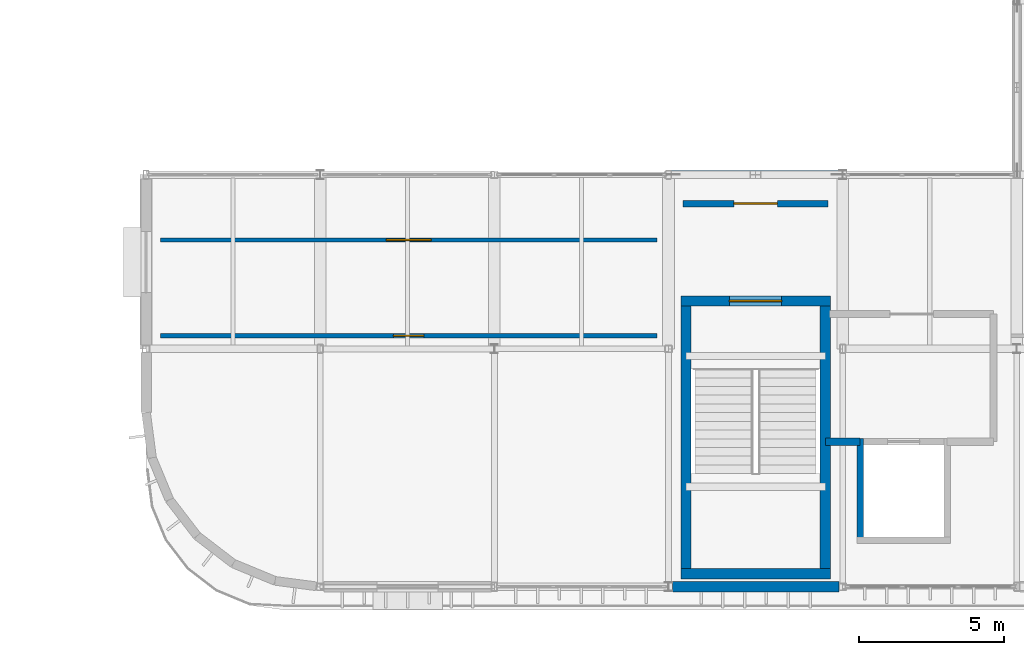
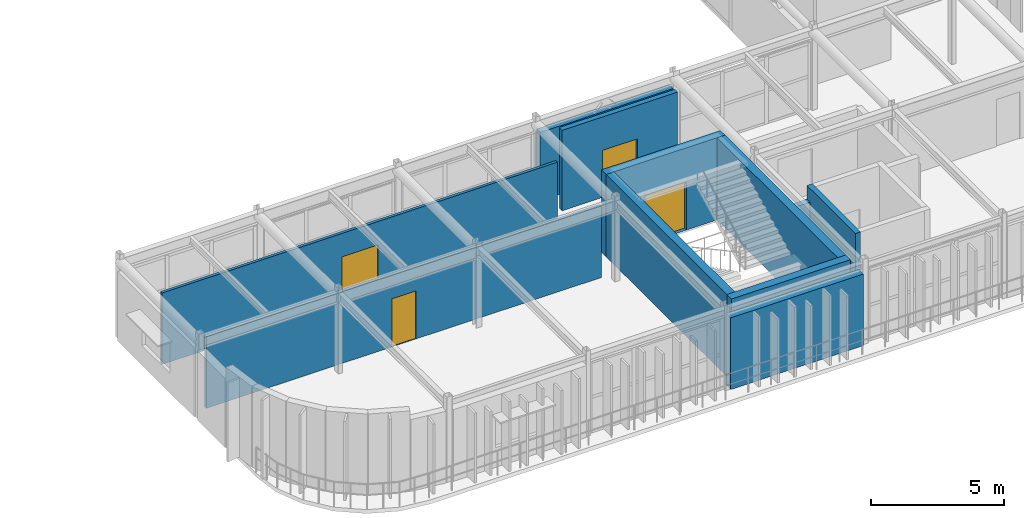
# One storey, part 16 of 27: 11 walls, 4 doors, 4 openings.
"""IFC4 building model written with IfcOpenShell, lengths in metres."""

from ifc_helpers import new_model, si_unit, direction, frame, frame_2d, origin, place, context, subcontext, project, spatial, rectangle, extrude, material, layer, layer_set, type_object, element, fill, save


model = new_model("IFC4")

# Units and contexts
model_context = context("Model", 3, precision=1e-05, world=origin(), true_north=direction((0.0, 1.0)))
body_context = subcontext(model_context, "Body", "Model", "MODEL_VIEW")
ifc_project = project(units=[si_unit("LENGTHUNIT", "METRE"), si_unit("AREAUNIT", "SQUARE_METRE"), si_unit("VOLUMEUNIT", "CUBIC_METRE"), si_unit("PLANEANGLEUNIT", "RADIAN"), si_unit("MASSUNIT", "GRAM", prefix="KILO")], contexts=[model_context])

# Site, building, storey
site_placement = place(None, origin())
site = spatial("IfcSite", under=ifc_project, at=site_placement, CompositionType="ELEMENT")
building_placement = place(site_placement, origin())
building = spatial("IfcBuilding", under=site, at=building_placement, Name="Varnakota Square Police Headquarters", CompositionType="ELEMENT")
storey_placement = place(building_placement, frame((0.0, 0.0, 26.10009765625)))
storey = spatial("IfcBuildingStorey", under=building, at=storey_placement, Name="L06", CompositionType="ELEMENT", Elevation=26.10009765625)

# Walls
ifc_material_1 = material(Name="Concrete M40", Category="concrete")
ifc_layer_1 = layer(ifc_material_1, 0.22998046875, Name="Concrete M40")
ifc_layer_set_1 = layer_set([ifc_layer_1], Name="Concrete M40")
wall_type_1 = type_object("IfcWallType", Name="WL-CORE-230", PredefinedType="SHEAR", material=ifc_layer_set_1)
wall_1_placement = place(storey_placement, frame((132.60009765625, 5.9150390625, 0.0), z_axis=(0.0, 0.0, 1.0), x_axis=(0.0, -1.0, 0.0)))
element("IfcWall", 1, at=wall_1_placement, inside=storey, type_object=wall_type_1, Name="Lift shaft wall LF-FF1 L06 W", PredefinedType="SHEAR", context=body_context, shape_type="SweptSolid", body=[
    extrude(rectangle(XDim=3.630126953125, YDim=0.22998046875, at=frame_2d((1.81494140625, 0.0))), origin(), (0.0, 0.0, 1.0), 3.89990234375),
])
ifc_material_2 = material(Name="Concrete M50", Category="concrete")
ifc_layer_2 = layer(ifc_material_2, 0.35009765625, Name="Concrete M50")
ifc_layer_set_2 = layer_set([ifc_layer_2], Name="Concrete M50")
wall_type_2 = type_object("IfcWallType", Name="WL-CORE-350", PredefinedType="SHEAR", material=ifc_layer_set_2)
wall_2_placement = place(storey_placement, frame((126.425048828125, 1.25, 0.0), z_axis=(0.0, 0.0, 1.0), x_axis=(1.0, 0.0, 0.0)))
element("IfcWall", 2, at=wall_2_placement, inside=storey, type_object=wall_type_2, Name="Core C1 shear wall L06 S", PredefinedType="SHEAR", context=body_context, shape_type="SweptSolid", body=[
    extrude(rectangle(XDim=5.14990234375, YDim=0.35009765625, at=frame_2d((2.574951171875, 0.0))), origin(), (0.0, 0.0, 1.0), 3.760009765625),
])
wall_3_placement = place(storey_placement, frame((131.39990234375, 1.074951171875, 0.0), z_axis=(0.0, 0.0, 1.0), x_axis=(0.0, 1.0, 0.0)))
element("IfcWall", 3, at=wall_3_placement, inside=storey, type_object=wall_type_2, Name="Core C1 shear wall L06 E", PredefinedType="SHEAR", context=body_context, shape_type="SweptSolid", body=[
    extrude(rectangle(XDim=9.75, YDim=0.35009765625, at=frame_2d((4.875, 0.0))), origin(), (0.0, 0.0, 1.0), 3.760009765625),
])

# Wall, opening, door
wall_4_placement = place(storey_placement, frame((131.574951171875, 10.64990234375, 0.0), z_axis=(0.0, 0.0, 1.0), x_axis=(-1.0, 0.0, 0.0)))
wall_4 = element("IfcWall", 4, at=wall_4_placement, inside=storey, type_object=wall_type_2, Name="Core C1 shear wall L06 N", PredefinedType="SHEAR", context=body_context, shape_type="SweptSolid", body=[
    extrude(rectangle(XDim=5.14990234375, YDim=0.35009765625, at=frame_2d((2.574951171875, 0.0))), origin(), (0.0, 0.0, 1.0), 3.760009765625),
])
opening_1_placement = place(wall_4_placement, frame((1.675048828125, 0.0, 0.0)))
opening_1 = element("IfcOpeningElement", 5, at=opening_1_placement, cuts=wall_4, Name="Opening SD007", PredefinedType="OPENING", context=body_context, shape_type="SweptSolid", body=[
    extrude(rectangle(XDim=1.800048828125, YDim=2.199951171875, at=frame_2d((0.89990234375, 1.10009765625))), frame((0.0, 0.18505859375, 0.0), z_axis=(0.0, -1.0, 0.0), x_axis=(1.0, 0.0, 0.0)), (0.0, 0.0, 1.0), 0.3701171875),
])
ifc_material_3 = material(Name="Powder-Coated Galvanised Steel", Category="steel")
door_type_1 = type_object("IfcDoorType", Name="DR-ST-180", OperationType="NOTDEFINED", PredefinedType="DOOR", material=ifc_material_3)
door_1_placement = place(opening_1_placement, origin())
door_1 = element("IfcDoor", 6, at=door_1_placement, inside=storey, type_object=door_type_1, Name="Protected stair door SD007", OperationType="DOUBLE_DOOR_SINGLE_SWING", OverallHeight=2.199951171875, OverallWidth=1.800048828125, PredefinedType="DOOR", context=body_context, shape_type="SweptSolid", body=[
    extrude(rectangle(XDim=1.800048828125, YDim=2.199951171875, at=frame_2d((0.89990234375, 1.10009765625))), frame((0.0, 0.02490234375, 0.0), z_axis=(0.0, -1.0, 0.0), x_axis=(1.0, 0.0, 0.0)), (0.0, 0.0, 1.0), 0.050048828125),
])
fill(opening_1, door_1)

# Walls
wall_5_placement = place(storey_placement, frame((126.60009765625, 10.824951171875, 0.0), z_axis=(0.0, 0.0, 1.0), x_axis=(0.0, -1.0, 0.0)))
element("IfcWall", 7, at=wall_5_placement, inside=storey, type_object=wall_type_2, Name="Core C1 shear wall L06 W", PredefinedType="SHEAR", context=body_context, shape_type="SweptSolid", body=[
    extrude(rectangle(XDim=9.75, YDim=0.35009765625, at=frame_2d((4.875, 0.0))), origin(), (0.0, 0.0, 1.0), 3.760009765625),
])
ifc_layer_3 = layer(ifc_material_1, 0.280029296875, Name="Concrete M40")
ifc_layer_set_3 = layer_set([ifc_layer_3], Name="Concrete M40")
wall_type_3 = type_object("IfcWallType", Name="WL-EXT-280", PredefinedType="SOLIDWALL", material=ifc_layer_set_3)
wall_6_placement = place(storey_placement, frame((126.10400390625, 15.0, 0.0), z_axis=(0.0, 0.0, 1.0), x_axis=(1.0, 0.0, 0.0)))
element("IfcWall", 8, at=wall_6_placement, inside=storey, type_object=wall_type_3, Name="Exterior wall EW-L06-0325", PredefinedType="SOLIDWALL", context=body_context, shape_type="SweptSolid", body=[
    extrude(rectangle(XDim=5.76708984375, YDim=0.280029296875, at=frame_2d((2.883544921875, 0.0))), origin(), (0.0, 0.0, 1.0), 3.1298828125),
])
ifc_layer_4 = layer(ifc_material_1, 0.360107421875, Name="Concrete M40")
ifc_layer_set_4 = layer_set([ifc_layer_4], Name="Concrete M40")
wall_type_4 = type_object("IfcWallType", Name="WL-EXT-360", PredefinedType="SOLIDWALL", material=ifc_layer_set_4)
wall_7_placement = place(storey_placement, frame((126.12890625, 0.800048828125, 0.0), z_axis=(0.0, 0.0, 1.0), x_axis=(1.0, 0.0, 0.0)))
element("IfcWall", 9, at=wall_7_placement, inside=storey, type_object=wall_type_4, Name="Exterior wall EW-L06-0317", PredefinedType="SOLIDWALL", context=body_context, shape_type="SweptSolid", body=[
    extrude(rectangle(XDim=5.7421875, YDim=0.360107421875, at=frame_2d((2.87109375, 0.0))), origin(), (0.0, 0.0, 1.0), 3.27978515625),
])

# Wall, opening, door
ifc_material_4 = material(Name="Acoustic Insulated Metal-Stud Partition", Category="gypsum")
ifc_layer_5 = layer(ifc_material_4, 0.125, Name="Acoustic Insulated Metal-Stud Partition")
ifc_layer_set_5 = layer_set([ifc_layer_5], Name="Acoustic Insulated Metal-Stud Partition")
wall_type_5 = type_object("IfcWallType", Name="WL-PRT-125", PredefinedType="PARTITIONING", material=ifc_layer_set_5)
wall_8_placement = place(storey_placement, frame((125.60009765625, 12.75, 0.0), z_axis=(0.0, 0.0, 1.0), x_axis=(-1.0, 0.0, 0.0)))
wall_8 = element("IfcWall", 10, at=wall_8_placement, inside=storey, type_object=wall_type_5, Name="Interior partition PW-L06-0251 (Division Briefing and Seminar Room)", PredefinedType="PARTITIONING", context=body_context, shape_type="SweptSolid", body=[
    extrude(rectangle(XDim=17.10009765625, YDim=0.125, at=frame_2d((8.550048828125, 0.0))), origin(), (0.0, 0.0, 1.0), 3.2734375),
])
opening_2_placement = place(wall_8_placement, frame((7.77490234375, 0.0, 0.0)))
opening_2 = element("IfcOpeningElement", 11, at=opening_2_placement, cuts=wall_8, Name="Opening D294", PredefinedType="OPENING", context=body_context, shape_type="SweptSolid", body=[
    extrude(rectangle(XDim=1.550048828125, YDim=2.199951171875, at=frame_2d((0.77490234375, 1.10009765625))), frame((0.0, 0.072509765625, 0.0), z_axis=(0.0, -1.0, 0.0), x_axis=(1.0, 0.0, 0.0)), (0.0, 0.0, 1.0), 0.14501953125),
])
ifc_material_5 = material(Name="Solid-Core Acoustic Oak Veneer Timber", Category="wood")
door_type_2 = type_object("IfcDoorType", Name="DR-BRF-155", OperationType="NOTDEFINED", PredefinedType="DOOR", material=ifc_material_5)
door_2_placement = place(opening_2_placement, origin())
door_2 = element("IfcDoor", 12, at=door_2_placement, inside=storey, type_object=door_type_2, Name="Room door D294 (Division Briefing and Seminar Room)", OperationType="DOUBLE_DOOR_SINGLE_SWING", OverallHeight=2.199951171875, OverallWidth=1.550048828125, PredefinedType="DOOR", context=body_context, shape_type="SweptSolid", body=[
    extrude(rectangle(XDim=1.550048828125, YDim=2.199951171875, at=frame_2d((0.77490234375, 1.10009765625))), frame((0.0, 0.02490234375, 0.0), z_axis=(0.0, -1.0, 0.0), x_axis=(1.0, 0.0, 0.0)), (0.0, 0.0, 1.0), 0.050048828125),
])
fill(opening_2, door_2)

ifc_layer_6 = layer(ifc_material_4, 0.139892578125, Name="Acoustic Insulated Metal-Stud Partition")
ifc_layer_set_6 = layer_set([ifc_layer_6], Name="Acoustic Insulated Metal-Stud Partition")
wall_type_6 = type_object("IfcWallType", Name="WL-PRT-140", PredefinedType="PARTITIONING", material=ifc_layer_set_6)
wall_9_placement = place(storey_placement, frame((108.5, 9.449951171875, 0.0), z_axis=(0.0, 0.0, 1.0), x_axis=(1.0, 0.0, 0.0)))
wall_9 = element("IfcWall", 13, at=wall_9_placement, inside=storey, type_object=wall_type_6, Name="Interior partition PW-L06-0248 (Economic Offences Wing Investigation Office)", PredefinedType="PARTITIONING", context=body_context, shape_type="SweptSolid", body=[
    extrude(rectangle(XDim=17.10009765625, YDim=0.139892578125, at=frame_2d((8.550048828125, 0.0))), origin(), (0.0, 0.0, 1.0), 3.2734375),
])
opening_3_placement = place(wall_9_placement, frame((8.02490234375, 0.0, 0.0)))
opening_3 = element("IfcOpeningElement", 14, at=opening_3_placement, cuts=wall_9, Name="Opening D291", PredefinedType="OPENING", context=body_context, shape_type="SweptSolid", body=[
    extrude(rectangle(XDim=1.050048828125, YDim=2.199951171875, at=frame_2d((0.52490234375, 1.10009765625))), frame((0.0, 0.079833984375, 0.0), z_axis=(0.0, -1.0, 0.0), x_axis=(1.0, 0.0, 0.0)), (0.0, 0.0, 1.0), 0.159912109375),
])
ifc_material_6 = material(Name="Anodised Aluminium and Laminated Acoustic Glass", Category="aluminium")
door_type_3 = type_object("IfcDoorType", Name="DR-OFF-105", OperationType="NOTDEFINED", PredefinedType="DOOR", material=ifc_material_6)
door_3_placement = place(opening_3_placement, origin())
door_3 = element("IfcDoor", 15, at=door_3_placement, inside=storey, type_object=door_type_3, Name="Room door D291 (Economic Offences Wing Investigation Office)", OperationType="SINGLE_SWING_LEFT", OverallHeight=2.199951171875, OverallWidth=1.050048828125, PredefinedType="DOOR", context=body_context, shape_type="SweptSolid", body=[
    extrude(rectangle(XDim=1.050048828125, YDim=2.199951171875, at=frame_2d((0.52490234375, 1.10009765625))), frame((0.0, 0.02490234375, 0.0), z_axis=(0.0, -1.0, 0.0), x_axis=(1.0, 0.0, 0.0)), (0.0, 0.0, 1.0), 0.050048828125),
])
fill(opening_3, door_3)

ifc_layer_7 = layer(ifc_material_1, 0.215087890625, Name="Concrete M40")
ifc_layer_set_7 = layer_set([ifc_layer_7], Name="Concrete M40")
wall_type_7 = type_object("IfcWallType", Name="WL-PRT-215F", PredefinedType="PARTITIONING", material=ifc_layer_set_7)
wall_10_placement = place(storey_placement, frame((126.5, 14.0, 0.0), z_axis=(0.0, 0.0, 1.0), x_axis=(1.0, 0.0, 0.0)))
wall_10 = element("IfcWall", 16, at=wall_10_placement, inside=storey, type_object=wall_type_7, Name="Core C1 lobby fire partition L06", PredefinedType="PARTITIONING", context=body_context, shape_type="SweptSolid", body=[
    extrude(rectangle(XDim=5.0, YDim=0.215087890625, at=frame_2d((2.5, 0.0))), origin(), (0.0, 0.0, 1.0), 3.679931640625),
])
opening_4_placement = place(wall_10_placement, frame((1.75, 0.0, 0.0)))
opening_4 = element("IfcOpeningElement", 17, at=opening_4_placement, cuts=wall_10, Name="Opening FD021", PredefinedType="OPENING", context=body_context, shape_type="SweptSolid", body=[
    extrude(rectangle(XDim=1.5, YDim=2.14990234375, at=frame_2d((0.75, 1.074951171875))), frame((0.0, 0.117431640625, 0.0), z_axis=(0.0, -1.0, 0.0), x_axis=(1.0, 0.0, 0.0)), (0.0, 0.0, 1.0), 0.235107421875),
])
ifc_material_7 = material(Name="Smoke-Sealed Galvanised Acoustic Steel", Category="steel")
door_type_4 = type_object("IfcDoorType", Name="DR-FFL-150", OperationType="NOTDEFINED", PredefinedType="DOOR", material=ifc_material_7)
door_4_placement = place(opening_4_placement, origin())
door_4 = element("IfcDoor", 18, at=door_4_placement, inside=storey, type_object=door_type_4, Name="Core lobby smoke door FD021", OperationType="DOUBLE_DOOR_SINGLE_SWING", OverallHeight=2.14990234375, OverallWidth=1.5, PredefinedType="DOOR", context=body_context, shape_type="SweptSolid", body=[
    extrude(rectangle(XDim=1.5, YDim=2.14990234375, at=frame_2d((0.75, 1.074951171875))), frame((0.0, 0.02490234375, 0.0), z_axis=(0.0, -1.0, 0.0), x_axis=(1.0, 0.0, 0.0)), (0.0, 0.0, 1.0), 0.050048828125),
])
fill(opening_4, door_4)

# Wall
ifc_layer_8 = layer(ifc_material_1, 0.25, Name="Concrete M40")
ifc_layer_set_8 = layer_set([ifc_layer_8], Name="Concrete M40")
wall_type_8 = type_object("IfcWallType", Name="WL-PRT-250F", PredefinedType="PARTITIONING", material=ifc_layer_set_8)
wall_11_placement = place(storey_placement, frame((131.39990234375, 5.800048828125, 0.0), z_axis=(0.0, 0.0, 1.0), x_axis=(1.0, 0.0, 0.0)))
element("IfcWall", 19, at=wall_11_placement, inside=storey, type_object=wall_type_8, Name="Firefighting lobby return wall C1 L06 SW", PredefinedType="PARTITIONING", context=body_context, shape_type="SweptSolid", body=[
    extrude(rectangle(XDim=1.2001953125, YDim=0.25, at=frame_2d((0.60009765625, 0.0))), origin(), (0.0, 0.0, 1.0), 3.27978515625),
])

save(model, "model.ifc")
